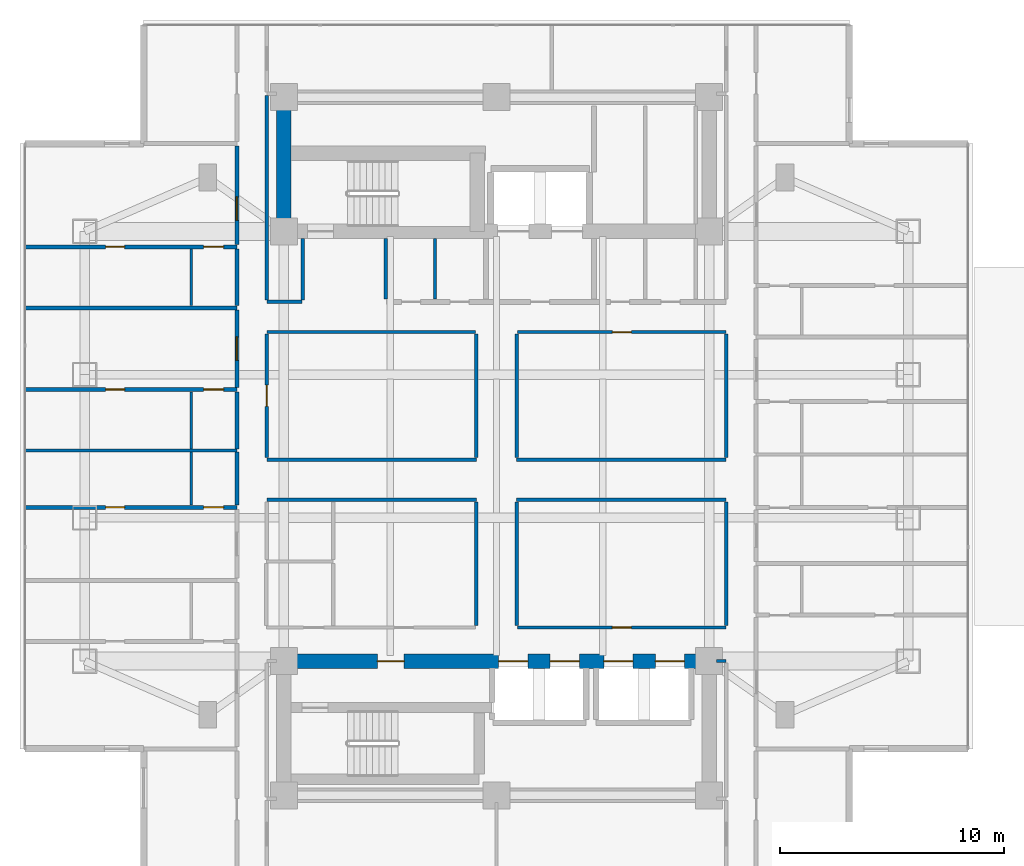
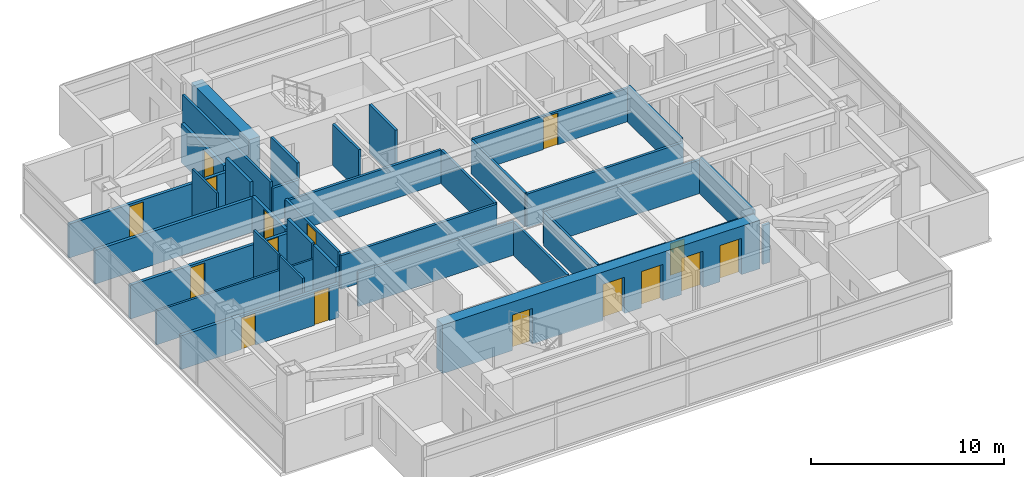
# One storey, part 14 of 26: 35 walls, 16 doors, 16 openings.
"""IFC4 building model written with IfcOpenShell, lengths in metres."""

from ifc_helpers import new_model, si_unit, direction, frame, frame_2d, origin, place, context, subcontext, project, spatial, rectangle, extrude, material, layer, layer_set, type_object, element, fill, save


model = new_model("IFC4")

# Units and contexts
model_context = context("Model", 3, precision=1e-05, world=origin(), true_north=direction((0.0, 1.0)))
body_context = subcontext(model_context, "Body", "Model", "MODEL_VIEW")
ifc_project = project(units=[si_unit("LENGTHUNIT", "METRE"), si_unit("AREAUNIT", "SQUARE_METRE"), si_unit("VOLUMEUNIT", "CUBIC_METRE"), si_unit("PLANEANGLEUNIT", "RADIAN"), si_unit("MASSUNIT", "GRAM", prefix="KILO")], contexts=[model_context])

# Site, building, storey
site_placement = place(None, origin())
site = spatial("IfcSite", under=ifc_project, at=site_placement, CompositionType="ELEMENT")
building_placement = place(site_placement, origin())
building = spatial("IfcBuilding", under=site, at=building_placement, Name="Mirazonda Arch Towers", CompositionType="ELEMENT")
storey_placement = place(building_placement, frame((0.0, 0.0, 98.300048828125)))
storey = spatial("IfcBuildingStorey", under=building, at=storey_placement, Name="L27", CompositionType="ELEMENT", Elevation=98.300048828125)

# Wall
ifc_material_1 = material(Name="Concrete C60/75", Category="concrete")
ifc_layer_1 = layer(ifc_material_1, 0.64990234375, Name="WALL-CORE-650")
ifc_layer_set_1 = layer_set([ifc_layer_1], Name="Concrete C60/75")
wall_type_1 = type_object("IfcWallType", Name="WALL-CORE-650", PredefinedType="SHEAR", material=ifc_layer_set_1)
wall_1_placement = place(storey_placement, frame((11.0, 37.60009765625, 0.0), z_axis=(0.0, 0.0, 1.0), x_axis=(0.0, 1.0, 0.0)))
element("IfcWall", 1, at=wall_1_placement, inside=storey, type_object=wall_type_1, Name="L27 T1N-W Core Shear Wall", PredefinedType="SHEAR", context=body_context, shape_type="SweptSolid", body=[
    extrude(rectangle(XDim=6.0, YDim=0.64990234375, at=frame_2d((3.0, 0.0))), origin(), (0.0, 0.0, 1.0), 3.079833984375),
])

# Wall, openings, doors
wall_2_placement = place(storey_placement, frame((11.0, 18.39990234375, 0.0), z_axis=(0.0, 0.0, 1.0), x_axis=(1.0, 0.0, 0.0)))
wall_2 = element("IfcWall", 2, at=wall_2_placement, inside=storey, type_object=wall_type_1, Name="L27 T1S-N Core Shear Wall", PredefinedType="SHEAR", context=body_context, shape_type="SweptSolid", body=[
    extrude(rectangle(XDim=19.0, YDim=0.64990234375, at=frame_2d((9.5, 0.0))), origin(), (0.0, 0.0, 1.0), 3.079833984375),
])
opening_1_placement = place(wall_2_placement, frame((4.175048828125, 0.0, 0.0)))
opening_1 = element("IfcOpeningElement", 3, at=opening_1_placement, cuts=wall_2, Name="Opening DR-117", PredefinedType="OPENING", context=body_context, shape_type="SweptSolid", body=[
    extrude(rectangle(XDim=1.199951171875, YDim=2.25, at=frame_2d((0.60009765625, 1.125))), frame((0.0, 0.3349609375, 0.0), z_axis=(0.0, -1.0, 0.0), x_axis=(1.0, 0.0, 0.0)), (0.0, 0.0, 1.0), 0.669921875),
])
opening_2_placement = place(wall_2_placement, frame((9.60009765625, 0.0, 0.0)))
opening_2 = element("IfcOpeningElement", 4, at=opening_2_placement, cuts=wall_2, Name="Opening LD-111", PredefinedType="OPENING", context=body_context, shape_type="SweptSolid", body=[
    extrude(rectangle(XDim=1.300048828125, YDim=2.300048828125, at=frame_2d((0.64990234375, 1.14990234375))), frame((0.0, 0.3349609375, 0.0), z_axis=(0.0, -1.0, 0.0), x_axis=(1.0, 0.0, 0.0)), (0.0, 0.0, 1.0), 0.669921875),
])
opening_3_placement = place(wall_2_placement, frame((11.89990234375, 0.0, 0.0)))
opening_3 = element("IfcOpeningElement", 5, at=opening_3_placement, cuts=wall_2, Name="Opening LD-111", PredefinedType="OPENING", context=body_context, shape_type="SweptSolid", body=[
    extrude(rectangle(XDim=1.300048828125, YDim=2.300048828125, at=frame_2d((0.64990234375, 1.14990234375))), frame((0.0, 0.3349609375, 0.0), z_axis=(0.0, -1.0, 0.0), x_axis=(1.0, 0.0, 0.0)), (0.0, 0.0, 1.0), 0.669921875),
])
opening_4_placement = place(wall_2_placement, frame((14.300048828125, 0.0, 0.0)))
opening_4 = element("IfcOpeningElement", 6, at=opening_4_placement, cuts=wall_2, Name="Opening LD-111", PredefinedType="OPENING", context=body_context, shape_type="SweptSolid", body=[
    extrude(rectangle(XDim=1.300048828125, YDim=2.300048828125, at=frame_2d((0.64990234375, 1.14990234375))), frame((0.0, 0.3349609375, 0.0), z_axis=(0.0, -1.0, 0.0), x_axis=(1.0, 0.0, 0.0)), (0.0, 0.0, 1.0), 0.669921875),
])
opening_5_placement = place(wall_2_placement, frame((16.60009765625, 0.0, 0.0)))
opening_5 = element("IfcOpeningElement", 7, at=opening_5_placement, cuts=wall_2, Name="Opening LD-111", PredefinedType="OPENING", context=body_context, shape_type="SweptSolid", body=[
    extrude(rectangle(XDim=1.300048828125, YDim=2.300048828125, at=frame_2d((0.64990234375, 1.14990234375))), frame((0.0, 0.3349609375, 0.0), z_axis=(0.0, -1.0, 0.0), x_axis=(1.0, 0.0, 0.0)), (0.0, 0.0, 1.0), 0.669921875),
])
ifc_material_2 = material(Name="Architectural Brushed Steel S355", Category="steel")
door_type_1 = type_object("IfcDoorType", Name="DOOR-FFL-FD90-1200", OperationType="NOTDEFINED", PredefinedType="DOOR", material=ifc_material_2)
door_1_placement = place(opening_1_placement, origin())
door_1 = element("IfcDoor", 8, at=door_1_placement, inside=storey, type_object=door_type_1, Name="L27 South Core Stair & Lift Lobby Door", OperationType="SINGLE_SWING_LEFT", OverallHeight=2.25, OverallWidth=1.199951171875, PredefinedType="DOOR", context=body_context, shape_type="SweptSolid", body=[
    extrude(rectangle(XDim=1.199951171875, YDim=2.25, at=frame_2d((0.60009765625, 1.125))), frame((0.0, 0.02490234375, 0.0), z_axis=(0.0, -1.0, 0.0), x_axis=(1.0, 0.0, 0.0)), (0.0, 0.0, 1.0), 0.050048828125),
])
fill(opening_1, door_1)
door_type_2 = type_object("IfcDoorType", Name="DOOR-LIFT-LAND-1300", OperationType="NOTDEFINED", PredefinedType="DOOR", material=ifc_material_2)
door_2_placement = place(opening_2_placement, origin())
door_2 = element("IfcDoor", 9, at=door_2_placement, inside=storey, type_object=door_type_2, Name="L27 Lift Landing Sliding Door PL-T1M1", OperationType="DOUBLE_DOOR_SLIDING", OverallHeight=2.300048828125, OverallWidth=1.300048828125, PredefinedType="DOOR", context=body_context, shape_type="SweptSolid", body=[
    extrude(rectangle(XDim=1.300048828125, YDim=2.300048828125, at=frame_2d((0.64990234375, 1.14990234375))), frame((0.0, 0.02490234375, 0.0), z_axis=(0.0, -1.0, 0.0), x_axis=(1.0, 0.0, 0.0)), (0.0, 0.0, 1.0), 0.050048828125),
])
fill(opening_2, door_2)
door_3_placement = place(opening_3_placement, origin())
door_3 = element("IfcDoor", 10, at=door_3_placement, inside=storey, type_object=door_type_2, Name="L27 Lift Landing Sliding Door PL-T1M2", OperationType="DOUBLE_DOOR_SLIDING", OverallHeight=2.300048828125, OverallWidth=1.300048828125, PredefinedType="DOOR", context=body_context, shape_type="SweptSolid", body=[
    extrude(rectangle(XDim=1.300048828125, YDim=2.300048828125, at=frame_2d((0.64990234375, 1.14990234375))), frame((0.0, 0.02490234375, 0.0), z_axis=(0.0, -1.0, 0.0), x_axis=(1.0, 0.0, 0.0)), (0.0, 0.0, 1.0), 0.050048828125),
])
fill(opening_3, door_3)
door_4_placement = place(opening_4_placement, origin())
door_4 = element("IfcDoor", 11, at=door_4_placement, inside=storey, type_object=door_type_2, Name="L27 Lift Landing Sliding Door PL-T1H1", OperationType="DOUBLE_DOOR_SLIDING", OverallHeight=2.300048828125, OverallWidth=1.300048828125, PredefinedType="DOOR", context=body_context, shape_type="SweptSolid", body=[
    extrude(rectangle(XDim=1.300048828125, YDim=2.300048828125, at=frame_2d((0.64990234375, 1.14990234375))), frame((0.0, 0.02490234375, 0.0), z_axis=(0.0, -1.0, 0.0), x_axis=(1.0, 0.0, 0.0)), (0.0, 0.0, 1.0), 0.050048828125),
])
fill(opening_4, door_4)
door_5_placement = place(opening_5_placement, origin())
door_5 = element("IfcDoor", 12, at=door_5_placement, inside=storey, type_object=door_type_2, Name="L27 Lift Landing Sliding Door PL-T1H2", OperationType="DOUBLE_DOOR_SLIDING", OverallHeight=2.300048828125, OverallWidth=1.300048828125, PredefinedType="DOOR", context=body_context, shape_type="SweptSolid", body=[
    extrude(rectangle(XDim=1.300048828125, YDim=2.300048828125, at=frame_2d((0.64990234375, 1.14990234375))), frame((0.0, 0.02490234375, 0.0), z_axis=(0.0, -1.0, 0.0), x_axis=(1.0, 0.0, 0.0)), (0.0, 0.0, 1.0), 0.050048828125),
])
fill(opening_5, door_5)

# Wall
ifc_material_3 = material(Name="Fire-Rated Gypsum Stud Partition")
ifc_layer_2 = layer(ifc_material_3, 0.14990234375, Name="WALL-PART-CORR-150")
ifc_layer_set_2 = layer_set([ifc_layer_2], Name="Fire-Rated Gypsum Stud Partition")
wall_type_2 = type_object("IfcWallType", Name="WALL-PART-CORR-150", PredefinedType="PARTITIONING", material=ifc_layer_set_2)
wall_3_placement = place(storey_placement, frame((30.320068359375, 18.39990234375, 0.0), z_axis=(0.0, 0.0, 1.0), x_axis=(1.0, 0.0, 0.0)))
element("IfcWall", 13, at=wall_3_placement, inside=storey, type_object=wall_type_2, Name="L27 Interior Partition 013", PredefinedType="PARTITIONING", context=body_context, shape_type="SweptSolid", body=[
    extrude(rectangle(XDim=0.43994140625, YDim=0.14990234375, at=frame_2d((0.219970703125, 0.0))), origin(), (0.0, 0.0, 1.0), 2.4560546875),
])

# Wall, opening, door
wall_4_placement = place(storey_placement, frame((21.43994140625, 19.89990234375, 0.0), z_axis=(0.0, 0.0, 1.0), x_axis=(1.0, 0.0, 0.0)))
wall_4 = element("IfcWall", 14, at=wall_4_placement, inside=storey, type_object=wall_type_2, Name="L27 Interior Partition 017", PredefinedType="PARTITIONING", context=body_context, shape_type="SweptSolid", body=[
    extrude(rectangle(XDim=9.320068359375, YDim=0.14990234375, at=frame_2d((4.66015625, 0.0))), origin(), (0.0, 0.0, 1.0), 2.1240234375),
])
opening_6_placement = place(wall_4_placement, frame((4.235107421875, 0.0, 0.0)))
opening_6 = element("IfcOpeningElement", 15, at=opening_6_placement, cuts=wall_4, Name="Opening DR-128", PredefinedType="OPENING", context=body_context, shape_type="SweptSolid", body=[
    extrude(rectangle(XDim=0.85009765625, YDim=2.010009765625, at=frame_2d((0.425048828125, 1.0048828125))), frame((0.0, 0.0849609375, 0.0), z_axis=(0.0, -1.0, 0.0), x_axis=(1.0, 0.0, 0.0)), (0.0, 0.0, 1.0), 0.169921875),
])
door_type_3 = type_object("IfcDoorType", Name="DOOR-RISER-FD60-850", OperationType="NOTDEFINED", PredefinedType="DOOR", material=ifc_material_2)
door_6_placement = place(opening_6_placement, origin())
door_6 = element("IfcDoor", 16, at=door_6_placement, inside=storey, type_object=door_type_3, Name="L27 L27 South-East Cruciform Lounge Door", OperationType="SINGLE_SWING_RIGHT", OverallHeight=2.010009765625, OverallWidth=0.85009765625, PredefinedType="DOOR", context=body_context, shape_type="SweptSolid", body=[
    extrude(rectangle(XDim=0.85009765625, YDim=2.010009765625, at=frame_2d((0.425048828125, 1.0048828125))), frame((0.0, 0.02490234375, 0.0), z_axis=(0.0, -1.0, 0.0), x_axis=(1.0, 0.0, 0.0)), (0.0, 0.0, 1.0), 0.050048828125),
])
fill(opening_6, door_6)

# Walls
for number, where, z_axis, x_axis, name in (
    (17, (10.239990234375, 25.60009765625, 0.0), (0.0, 0.0, 1.0), (1.0, 0.0, 0.0), "L27 Interior Partition 031"),
    (18, (21.39990234375, 25.60009765625, 0.0), (0.0, 0.0, 1.0), (1.0, 0.0, 0.0), "L27 Interior Partition 032"),
    (19, (10.239990234375, 27.39990234375, 0.0), (0.0, 0.0, 1.0), (1.0, 0.0, 0.0), "L27 Interior Partition 036"),
    (20, (21.39990234375, 27.39990234375, 0.0), (0.0, 0.0, 1.0), (1.0, 0.0, 0.0), "L27 Interior Partition 037"),
):
    element("IfcWall", number, at=place(storey_placement, frame(where, z_axis=z_axis, x_axis=x_axis)), inside=storey, type_object=wall_type_2, Name=name, PredefinedType="PARTITIONING", context=body_context, shape_type="SweptSolid", body=[
        extrude(rectangle(XDim=9.360107421875, YDim=0.14990234375, at=frame_2d((4.68017578125, 0.0))), origin(), (0.0, 0.0, 1.0), 2.1240234375),
    ])
wall_5_placement = place(storey_placement, frame((10.239990234375, 33.10009765625, 0.0), z_axis=(0.0, 0.0, 1.0), x_axis=(1.0, 0.0, 0.0)))
element("IfcWall", 21, at=wall_5_placement, inside=storey, type_object=wall_type_2, Name="L27 Interior Partition 049", PredefinedType="PARTITIONING", context=body_context, shape_type="SweptSolid", body=[
    extrude(rectangle(XDim=9.320068359375, YDim=0.14990234375, at=frame_2d((4.66015625, 0.0))), origin(), (0.0, 0.0, 1.0), 2.1240234375),
])

# Wall, opening, door
wall_6_placement = place(storey_placement, frame((21.43994140625, 33.10009765625, 0.0), z_axis=(0.0, 0.0, 1.0), x_axis=(1.0, 0.0, 0.0)))
wall_6 = element("IfcWall", 22, at=wall_6_placement, inside=storey, type_object=wall_type_2, Name="L27 Interior Partition 050", PredefinedType="PARTITIONING", context=body_context, shape_type="SweptSolid", body=[
    extrude(rectangle(XDim=9.320068359375, YDim=0.14990234375, at=frame_2d((4.66015625, 0.0))), origin(), (0.0, 0.0, 1.0), 2.1240234375),
])
opening_7_placement = place(wall_6_placement, frame((4.235107421875, 0.0, 0.0)))
opening_7 = element("IfcOpeningElement", 23, at=opening_7_placement, cuts=wall_6, Name="Opening DR-128", PredefinedType="OPENING", context=body_context, shape_type="SweptSolid", body=[
    extrude(rectangle(XDim=0.85009765625, YDim=2.010009765625, at=frame_2d((0.425048828125, 1.0048828125))), frame((0.0, 0.0849609375, 0.0), z_axis=(0.0, -1.0, 0.0), x_axis=(1.0, 0.0, 0.0)), (0.0, 0.0, 1.0), 0.169921875),
])
door_7_placement = place(opening_7_placement, origin())
door_7 = element("IfcDoor", 24, at=door_7_placement, inside=storey, type_object=door_type_3, Name="L27 L27 North-East Cruciform Study Door", OperationType="SINGLE_SWING_LEFT", OverallHeight=2.010009765625, OverallWidth=0.85009765625, PredefinedType="DOOR", context=body_context, shape_type="SweptSolid", body=[
    extrude(rectangle(XDim=0.85009765625, YDim=2.010009765625, at=frame_2d((0.425048828125, 1.0048828125))), frame((0.0, 0.02490234375, 0.0), z_axis=(0.0, -1.0, 0.0), x_axis=(1.0, 0.0, 0.0)), (0.0, 0.0, 1.0), 0.050048828125),
])
fill(opening_7, door_7)

# Wall
wall_7_placement = place(storey_placement, frame((10.239990234375, 34.449951171875, 0.0), z_axis=(0.0, 0.0, 1.0), x_axis=(1.0, 0.0, 0.0)))
element("IfcWall", 25, at=wall_7_placement, inside=storey, type_object=wall_type_2, Name="L27 Interior Partition 052", PredefinedType="PARTITIONING", context=body_context, shape_type="SweptSolid", body=[
    extrude(rectangle(XDim=1.56005859375, YDim=0.14990234375, at=frame_2d((0.780029296875, 0.0))), origin(), (0.0, 0.0, 1.0), 2.1240234375),
])

# Wall, opening, door
wall_8_placement = place(storey_placement, frame((10.239990234375, 27.485107421875, 0.0), z_axis=(0.0, 0.0, 1.0), x_axis=(0.0, 1.0, 0.0)))
wall_8 = element("IfcWall", 26, at=wall_8_placement, inside=storey, type_object=wall_type_2, Name="L27 Interior Partition 085", PredefinedType="PARTITIONING", context=body_context, shape_type="SweptSolid", body=[
    extrude(rectangle(XDim=5.52978515625, YDim=0.14990234375, at=frame_2d((2.764892578125, 0.0))), origin(), (0.0, 0.0, 1.0), 2.299072265625),
])
opening_8_placement = place(wall_8_placement, frame((2.2900390625, 0.0, 0.0)))
opening_8 = element("IfcOpeningElement", 27, at=opening_8_placement, cuts=wall_8, Name="Opening DR-104", PredefinedType="OPENING", context=body_context, shape_type="SweptSolid", body=[
    extrude(rectangle(XDim=0.949951171875, YDim=2.14990234375, at=frame_2d((0.47509765625, 1.074951171875))), frame((0.0, 0.0849609375, 0.0), z_axis=(0.0, -1.0, 0.0), x_axis=(1.0, 0.0, 0.0)), (0.0, 0.0, 1.0), 0.169921875),
])
door_type_4 = type_object("IfcDoorType", Name="DOOR-ROOM-950", OperationType="NOTDEFINED", PredefinedType="DOOR", material=ifc_material_2)
door_8_placement = place(opening_8_placement, origin())
door_8 = element("IfcDoor", 28, at=door_8_placement, inside=storey, type_object=door_type_4, Name="L27 L27 West Courtyard Reading Salon Door", OperationType="SINGLE_SWING_LEFT", OverallHeight=2.14990234375, OverallWidth=0.949951171875, PredefinedType="DOOR", context=body_context, shape_type="SweptSolid", body=[
    extrude(rectangle(XDim=0.949951171875, YDim=2.14990234375, at=frame_2d((0.47509765625, 1.074951171875))), frame((0.0, 0.02490234375, 0.0), z_axis=(0.0, -1.0, 0.0), x_axis=(1.0, 0.0, 0.0)), (0.0, 0.0, 1.0), 0.050048828125),
])
fill(opening_8, door_8)

# Walls
wall_9_placement = place(storey_placement, frame((10.239990234375, 34.534912109375, 0.0), z_axis=(0.0, 0.0, 1.0), x_axis=(0.0, 1.0, 0.0)))
element("IfcWall", 29, at=wall_9_placement, inside=storey, type_object=wall_type_2, Name="L27 Interior Partition 086", PredefinedType="PARTITIONING", context=body_context, shape_type="SweptSolid", body=[
    extrude(rectangle(XDim=9.130126953125, YDim=0.14990234375, at=frame_2d((4.56494140625, 0.0))), origin(), (0.0, 0.0, 1.0), 2.4560546875),
])
wall_10_placement = place(storey_placement, frame((11.85009765625, 34.534912109375, 0.0), z_axis=(0.0, 0.0, 1.0), x_axis=(0.0, 1.0, 0.0)))
element("IfcWall", 30, at=wall_10_placement, inside=storey, type_object=wall_type_2, Name="L27 Interior Partition 088", PredefinedType="PARTITIONING", context=body_context, shape_type="SweptSolid", body=[
    extrude(rectangle(XDim=2.7451171875, YDim=0.14990234375, at=frame_2d((1.37255859375, 0.0))), origin(), (0.0, 0.0, 1.0), 3.079833984375),
])
wall_11_placement = place(storey_placement, frame((15.550048828125, 34.570068359375, 0.0), z_axis=(0.0, 0.0, 1.0), x_axis=(0.0, 1.0, 0.0)))
element("IfcWall", 31, at=wall_11_placement, inside=storey, type_object=wall_type_2, Name="L27 Interior Partition 091", PredefinedType="PARTITIONING", context=body_context, shape_type="SweptSolid", body=[
    extrude(rectangle(XDim=2.7099609375, YDim=0.14990234375, at=frame_2d((1.35498046875, 0.0))), origin(), (0.0, 0.0, 1.0), 2.60888671875),
])
wall_12_placement = place(storey_placement, frame((17.75, 34.570068359375, 0.0), z_axis=(0.0, 0.0, 1.0), x_axis=(0.0, 1.0, 0.0)))
element("IfcWall", 32, at=wall_12_placement, inside=storey, type_object=wall_type_2, Name="L27 Interior Partition 092", PredefinedType="PARTITIONING", context=body_context, shape_type="SweptSolid", body=[
    extrude(rectangle(XDim=2.7099609375, YDim=0.14990234375, at=frame_2d((1.35498046875, 0.0))), origin(), (0.0, 0.0, 1.0), 3.079833984375),
])
for number, where, z_axis, x_axis, name in (
    (33, (19.60009765625, 19.985107421875, 0.0), (0.0, 0.0, 1.0), (0.0, 1.0, 0.0), "L27 Interior Partition 093"),
    (34, (19.60009765625, 27.485107421875, 0.0), (0.0, 0.0, 1.0), (0.0, 1.0, 0.0), "L27 Interior Partition 094"),
    (35, (21.39990234375, 19.985107421875, 0.0), (0.0, 0.0, 1.0), (0.0, 1.0, 0.0), "L27 Interior Partition 101"),
    (36, (21.39990234375, 27.485107421875, 0.0), (0.0, 0.0, 1.0), (0.0, 1.0, 0.0), "L27 Interior Partition 102"),
):
    element("IfcWall", number, at=place(storey_placement, frame(where, z_axis=z_axis, x_axis=x_axis)), inside=storey, type_object=wall_type_2, Name=name, PredefinedType="PARTITIONING", context=body_context, shape_type="SweptSolid", body=[
        extrude(rectangle(XDim=5.52978515625, YDim=0.14990234375, at=frame_2d((2.764892578125, 0.0))), origin(), (0.0, 0.0, 1.0), 2.1240234375),
    ])
for number, where, z_axis, x_axis, name in (
    (37, (30.760009765625, 19.985107421875, 0.0), (0.0, 0.0, 1.0), (0.0, 1.0, 0.0), "L27 Interior Partition 116"),
    (38, (30.760009765625, 27.485107421875, 0.0), (0.0, 0.0, 1.0), (0.0, 1.0, 0.0), "L27 Interior Partition 117"),
):
    element("IfcWall", number, at=place(storey_placement, frame(where, z_axis=z_axis, x_axis=x_axis)), inside=storey, type_object=wall_type_2, Name=name, PredefinedType="PARTITIONING", context=body_context, shape_type="SweptSolid", body=[
        extrude(rectangle(XDim=5.52978515625, YDim=0.14990234375, at=frame_2d((2.764892578125, 0.0))), origin(), (0.0, 0.0, 1.0), 2.299072265625),
    ])

# Wall, openings, doors
ifc_material_4 = material(Name="Fire-Rated Gypsum Twin-Stud Assembly")
ifc_layer_3 = layer(ifc_material_4, 0.179931640625, Name="WALL-PART-DEMISE-180")
ifc_layer_set_3 = layer_set([ifc_layer_3], Name="Fire-Rated Gypsum Twin-Stud Assembly")
wall_type_3 = type_object("IfcWallType", Name="WALL-PART-DEMISE-180", PredefinedType="PARTITIONING", material=ifc_layer_set_3)
wall_13_placement = place(storey_placement, frame((-0.570068359375, 25.27197265625, 0.0), z_axis=(0.0, 0.0, 1.0), x_axis=(1.0, 0.0, 0.0)))
wall_13 = element("IfcWall", 39, at=wall_13_placement, inside=storey, type_object=wall_type_3, Name="L27 Interior Partition 029", PredefinedType="PARTITIONING", context=body_context, shape_type="SweptSolid", body=[
    extrude(rectangle(XDim=9.469970703125, YDim=0.179931640625, at=frame_2d((4.73486328125, 0.0))), origin(), (0.0, 0.0, 1.0), 2.14501953125),
])
opening_9_placement = place(wall_13_placement, frame((3.610107421875, 0.0, 0.0)))
opening_9 = element("IfcOpeningElement", 40, at=opening_9_placement, cuts=wall_13, Name="Opening DR-128", PredefinedType="OPENING", context=body_context, shape_type="SweptSolid", body=[
    extrude(rectangle(XDim=0.85009765625, YDim=2.010009765625, at=frame_2d((0.425048828125, 1.0048828125))), frame((0.0, 0.099853515625, 0.0), z_axis=(0.0, -1.0, 0.0), x_axis=(1.0, 0.0, 0.0)), (0.0, 0.0, 1.0), 0.199951171875),
])
opening_10_placement = place(wall_13_placement, frame((7.97998046875, 0.0, 0.0)))
opening_10 = element("IfcOpeningElement", 41, at=opening_10_placement, cuts=wall_13, Name="Opening DR-120", PredefinedType="OPENING", context=body_context, shape_type="SweptSolid", body=[
    extrude(rectangle(XDim=0.89990234375, YDim=2.10009765625, at=frame_2d((0.449951171875, 1.050048828125))), frame((0.0, 0.099853515625, 0.0), z_axis=(0.0, -1.0, 0.0), x_axis=(1.0, 0.0, 0.0)), (0.0, 0.0, 1.0), 0.199951171875),
])
door_9_placement = place(opening_9_placement, origin())
door_9 = element("IfcDoor", 42, at=door_9_placement, inside=storey, type_object=door_type_3, Name="L27 Suite Bedroom 2 Door", OperationType="SINGLE_SWING_RIGHT", OverallHeight=2.010009765625, OverallWidth=0.85009765625, PredefinedType="DOOR", context=body_context, shape_type="SweptSolid", body=[
    extrude(rectangle(XDim=0.85009765625, YDim=2.010009765625, at=frame_2d((0.425048828125, 1.0048828125))), frame((0.0, 0.02490234375, 0.0), z_axis=(0.0, -1.0, 0.0), x_axis=(1.0, 0.0, 0.0)), (0.0, 0.0, 1.0), 0.050048828125),
])
fill(opening_9, door_9)
door_type_5 = type_object("IfcDoorType", Name="DOOR-WC-900", OperationType="NOTDEFINED", PredefinedType="DOOR", material=ifc_material_2)
door_10_placement = place(opening_10_placement, origin())
door_10 = element("IfcDoor", 43, at=door_10_placement, inside=storey, type_object=door_type_5, Name="L27 Suite En-Suite Bathroom 2 Door", OperationType="SINGLE_SWING_LEFT", OverallHeight=2.10009765625, OverallWidth=0.89990234375, PredefinedType="DOOR", context=body_context, shape_type="SweptSolid", body=[
    extrude(rectangle(XDim=0.89990234375, YDim=2.10009765625, at=frame_2d((0.449951171875, 1.050048828125))), frame((0.0, 0.02490234375, 0.0), z_axis=(0.0, -1.0, 0.0), x_axis=(1.0, 0.0, 0.0)), (0.0, 0.0, 1.0), 0.050048828125),
])
fill(opening_10, door_10)

wall_14_placement = place(storey_placement, frame((-0.570068359375, 30.532958984375, 0.0), z_axis=(0.0, 0.0, 1.0), x_axis=(1.0, 0.0, 0.0)))
wall_14 = element("IfcWall", 44, at=wall_14_placement, inside=storey, type_object=wall_type_3, Name="L27 Interior Partition 044", PredefinedType="PARTITIONING", context=body_context, shape_type="SweptSolid", body=[
    extrude(rectangle(XDim=9.469970703125, YDim=0.179931640625, at=frame_2d((4.73486328125, 0.0))), origin(), (0.0, 0.0, 1.0), 2.14501953125),
])
opening_11_placement = place(wall_14_placement, frame((3.610107421875, 0.0, 0.0)))
opening_11 = element("IfcOpeningElement", 45, at=opening_11_placement, cuts=wall_14, Name="Opening DR-128", PredefinedType="OPENING", context=body_context, shape_type="SweptSolid", body=[
    extrude(rectangle(XDim=0.85009765625, YDim=2.010009765625, at=frame_2d((0.425048828125, 1.0048828125))), frame((0.0, 0.099853515625, 0.0), z_axis=(0.0, -1.0, 0.0), x_axis=(1.0, 0.0, 0.0)), (0.0, 0.0, 1.0), 0.199951171875),
])
opening_12_placement = place(wall_14_placement, frame((7.97998046875, 0.0, 0.0)))
opening_12 = element("IfcOpeningElement", 46, at=opening_12_placement, cuts=wall_14, Name="Opening DR-120", PredefinedType="OPENING", context=body_context, shape_type="SweptSolid", body=[
    extrude(rectangle(XDim=0.89990234375, YDim=2.10009765625, at=frame_2d((0.449951171875, 1.050048828125))), frame((0.0, 0.099853515625, 0.0), z_axis=(0.0, -1.0, 0.0), x_axis=(1.0, 0.0, 0.0)), (0.0, 0.0, 1.0), 0.199951171875),
])
door_11_placement = place(opening_11_placement, origin())
door_11 = element("IfcDoor", 47, at=door_11_placement, inside=storey, type_object=door_type_3, Name="L27 Suite Bedroom 3 Door", OperationType="SINGLE_SWING_LEFT", OverallHeight=2.010009765625, OverallWidth=0.85009765625, PredefinedType="DOOR", context=body_context, shape_type="SweptSolid", body=[
    extrude(rectangle(XDim=0.85009765625, YDim=2.010009765625, at=frame_2d((0.425048828125, 1.0048828125))), frame((0.0, 0.02490234375, 0.0), z_axis=(0.0, -1.0, 0.0), x_axis=(1.0, 0.0, 0.0)), (0.0, 0.0, 1.0), 0.050048828125),
])
fill(opening_11, door_11)
door_12_placement = place(opening_12_placement, origin())
door_12 = element("IfcDoor", 48, at=door_12_placement, inside=storey, type_object=door_type_5, Name="L27 Suite En-Suite Bathroom 3 Door", OperationType="SINGLE_SWING_RIGHT", OverallHeight=2.10009765625, OverallWidth=0.89990234375, PredefinedType="DOOR", context=body_context, shape_type="SweptSolid", body=[
    extrude(rectangle(XDim=0.89990234375, YDim=2.10009765625, at=frame_2d((0.449951171875, 1.050048828125))), frame((0.0, 0.02490234375, 0.0), z_axis=(0.0, -1.0, 0.0), x_axis=(1.0, 0.0, 0.0)), (0.0, 0.0, 1.0), 0.050048828125),
])
fill(opening_12, door_12)

# Wall
wall_15_placement = place(storey_placement, frame((-0.570068359375, 34.18408203125, 0.0), z_axis=(0.0, 0.0, 1.0), x_axis=(1.0, 0.0, 0.0)))
element("IfcWall", 49, at=wall_15_placement, inside=storey, type_object=wall_type_3, Name="L27 Interior Partition 051", PredefinedType="PARTITIONING", context=body_context, shape_type="SweptSolid", body=[
    extrude(rectangle(XDim=9.469970703125, YDim=0.179931640625, at=frame_2d((4.73486328125, 0.0))), origin(), (0.0, 0.0, 1.0), 2.14501953125),
])

# Wall, openings, doors
wall_16_placement = place(storey_placement, frame((-0.570068359375, 36.904052734375, 0.0), z_axis=(0.0, 0.0, 1.0), x_axis=(1.0, 0.0, 0.0)))
wall_16 = element("IfcWall", 50, at=wall_16_placement, inside=storey, type_object=wall_type_3, Name="L27 Interior Partition 057", PredefinedType="PARTITIONING", context=body_context, shape_type="SweptSolid", body=[
    extrude(rectangle(XDim=9.469970703125, YDim=0.179931640625, at=frame_2d((4.73486328125, 0.0))), origin(), (0.0, 0.0, 1.0), 2.14501953125),
])
opening_13_placement = place(wall_16_placement, frame((3.610107421875, 0.0, 0.0)))
opening_13 = element("IfcOpeningElement", 51, at=opening_13_placement, cuts=wall_16, Name="Opening DR-128", PredefinedType="OPENING", context=body_context, shape_type="SweptSolid", body=[
    extrude(rectangle(XDim=0.85009765625, YDim=2.010009765625, at=frame_2d((0.425048828125, 1.0048828125))), frame((0.0, 0.099853515625, 0.0), z_axis=(0.0, -1.0, 0.0), x_axis=(1.0, 0.0, 0.0)), (0.0, 0.0, 1.0), 0.199951171875),
])
opening_14_placement = place(wall_16_placement, frame((7.97998046875, 0.0, 0.0)))
opening_14 = element("IfcOpeningElement", 52, at=opening_14_placement, cuts=wall_16, Name="Opening DR-120", PredefinedType="OPENING", context=body_context, shape_type="SweptSolid", body=[
    extrude(rectangle(XDim=0.89990234375, YDim=2.10009765625, at=frame_2d((0.449951171875, 1.050048828125))), frame((0.0, 0.099853515625, 0.0), z_axis=(0.0, -1.0, 0.0), x_axis=(1.0, 0.0, 0.0)), (0.0, 0.0, 1.0), 0.199951171875),
])
door_13_placement = place(opening_13_placement, origin())
door_13 = element("IfcDoor", 53, at=door_13_placement, inside=storey, type_object=door_type_3, Name="L27 Suite Bedroom 4 Door", OperationType="SINGLE_SWING_RIGHT", OverallHeight=2.010009765625, OverallWidth=0.85009765625, PredefinedType="DOOR", context=body_context, shape_type="SweptSolid", body=[
    extrude(rectangle(XDim=0.85009765625, YDim=2.010009765625, at=frame_2d((0.425048828125, 1.0048828125))), frame((0.0, 0.02490234375, 0.0), z_axis=(0.0, -1.0, 0.0), x_axis=(1.0, 0.0, 0.0)), (0.0, 0.0, 1.0), 0.050048828125),
])
fill(opening_13, door_13)
door_14_placement = place(opening_14_placement, origin())
door_14 = element("IfcDoor", 54, at=door_14_placement, inside=storey, type_object=door_type_5, Name="L27 Suite En-Suite Bathroom 4 Door", OperationType="SINGLE_SWING_LEFT", OverallHeight=2.10009765625, OverallWidth=0.89990234375, PredefinedType="DOOR", context=body_context, shape_type="SweptSolid", body=[
    extrude(rectangle(XDim=0.89990234375, YDim=2.10009765625, at=frame_2d((0.449951171875, 1.050048828125))), frame((0.0, 0.02490234375, 0.0), z_axis=(0.0, -1.0, 0.0), x_axis=(1.0, 0.0, 0.0)), (0.0, 0.0, 1.0), 0.050048828125),
])
fill(opening_14, door_14)

# Walls
wall_17_placement = place(storey_placement, frame((8.89990234375, 25.3720703125, 0.0), z_axis=(0.0, 0.0, 1.0), x_axis=(0.0, 1.0, 0.0)))
element("IfcWall", 55, at=wall_17_placement, inside=storey, type_object=wall_type_3, Name="L27 Interior Partition 075", PredefinedType="PARTITIONING", context=body_context, shape_type="SweptSolid", body=[
    extrude(rectangle(XDim=2.368408203125, YDim=0.179931640625, at=frame_2d((1.18408203125, 0.0))), origin(), (0.0, 0.0, 1.0), 3.079833984375),
])
wall_18_placement = place(storey_placement, frame((8.89990234375, 27.885498046875, 0.0), z_axis=(0.0, 0.0, 1.0), x_axis=(0.0, 1.0, 0.0)))
element("IfcWall", 56, at=wall_18_placement, inside=storey, type_object=wall_type_3, Name="L27 Interior Partition 076", PredefinedType="PARTITIONING", context=body_context, shape_type="SweptSolid", body=[
    extrude(rectangle(XDim=2.547607421875, YDim=0.179931640625, at=frame_2d((1.27392578125, 0.0))), origin(), (0.0, 0.0, 1.0), 3.079833984375),
])

# Wall, opening, door
wall_19_placement = place(storey_placement, frame((8.89990234375, 30.633056640625, 0.0), z_axis=(0.0, 0.0, 1.0), x_axis=(0.0, 1.0, 0.0)))
wall_19 = element("IfcWall", 57, at=wall_19_placement, inside=storey, type_object=wall_type_3, Name="L27 Interior Partition 077", PredefinedType="PARTITIONING", context=body_context, shape_type="SweptSolid", body=[
    extrude(rectangle(XDim=3.450927734375, YDim=0.179931640625, at=frame_2d((1.7255859375, 0.0))), origin(), (0.0, 0.0, 1.0), 2.299072265625),
])
opening_15_placement = place(wall_19_placement, frame((1.200439453125, 0.0, 0.0)))
opening_15 = element("IfcOpeningElement", 58, at=opening_15_placement, cuts=wall_19, Name="Opening DR-121", PredefinedType="OPENING", context=body_context, shape_type="SweptSolid", body=[
    extrude(rectangle(XDim=1.050048828125, YDim=2.199951171875, at=frame_2d((0.52490234375, 1.10009765625))), frame((0.0, 0.099853515625, 0.0), z_axis=(0.0, -1.0, 0.0), x_axis=(1.0, 0.0, 0.0)), (0.0, 0.0, 1.0), 0.199951171875),
])
door_type_6 = type_object("IfcDoorType", Name="DOOR-SUITE-FD60-1050", OperationType="NOTDEFINED", PredefinedType="DOOR", material=ifc_material_2)
door_15_placement = place(opening_15_placement, origin())
door_15 = element("IfcDoor", 59, at=door_15_placement, inside=storey, type_object=door_type_6, Name="L27 Deluxe Suite Living Room 3 Door", OperationType="SINGLE_SWING_RIGHT", OverallHeight=2.199951171875, OverallWidth=1.050048828125, PredefinedType="DOOR", context=body_context, shape_type="SweptSolid", body=[
    extrude(rectangle(XDim=1.050048828125, YDim=2.199951171875, at=frame_2d((0.52490234375, 1.10009765625))), frame((0.0, 0.02490234375, 0.0), z_axis=(0.0, -1.0, 0.0), x_axis=(1.0, 0.0, 0.0)), (0.0, 0.0, 1.0), 0.050048828125),
])
fill(opening_15, door_15)

# Wall
wall_20_placement = place(storey_placement, frame((8.89990234375, 34.283935546875, 0.0), z_axis=(0.0, 0.0, 1.0), x_axis=(0.0, 1.0, 0.0)))
element("IfcWall", 60, at=wall_20_placement, inside=storey, type_object=wall_type_3, Name="L27 Interior Partition 078", PredefinedType="PARTITIONING", context=body_context, shape_type="SweptSolid", body=[
    extrude(rectangle(XDim=2.52001953125, YDim=0.179931640625, at=frame_2d((1.260009765625, 0.0))), origin(), (0.0, 0.0, 1.0), 3.079833984375),
])

# Wall, opening, door
wall_21_placement = place(storey_placement, frame((8.89990234375, 37.00390625, 0.0), z_axis=(0.0, 0.0, 1.0), x_axis=(0.0, 1.0, 0.0)))
wall_21 = element("IfcWall", 61, at=wall_21_placement, inside=storey, type_object=wall_type_3, Name="L27 Interior Partition 079", PredefinedType="PARTITIONING", context=body_context, shape_type="SweptSolid", body=[
    extrude(rectangle(XDim=4.4150390625, YDim=0.179931640625, at=frame_2d((2.20751953125, 0.0))), origin(), (0.0, 0.0, 1.0), 2.4560546875),
])
opening_16_placement = place(wall_21_placement, frame((1.08251953125, 0.0, 0.0)))
opening_16 = element("IfcOpeningElement", 62, at=opening_16_placement, cuts=wall_21, Name="Opening DR-121", PredefinedType="OPENING", context=body_context, shape_type="SweptSolid", body=[
    extrude(rectangle(XDim=1.050048828125, YDim=2.199951171875, at=frame_2d((0.52490234375, 1.10009765625))), frame((0.0, 0.099853515625, 0.0), z_axis=(0.0, -1.0, 0.0), x_axis=(1.0, 0.0, 0.0)), (0.0, 0.0, 1.0), 0.199951171875),
])
door_16_placement = place(opening_16_placement, origin())
door_16 = element("IfcDoor", 63, at=door_16_placement, inside=storey, type_object=door_type_6, Name="L27 Deluxe Suite Living Room 4 Door", OperationType="SINGLE_SWING_LEFT", OverallHeight=2.199951171875, OverallWidth=1.050048828125, PredefinedType="DOOR", context=body_context, shape_type="SweptSolid", body=[
    extrude(rectangle(XDim=1.050048828125, YDim=2.199951171875, at=frame_2d((0.52490234375, 1.10009765625))), frame((0.0, 0.02490234375, 0.0), z_axis=(0.0, -1.0, 0.0), x_axis=(1.0, 0.0, 0.0)), (0.0, 0.0, 1.0), 0.050048828125),
])
fill(opening_16, door_16)

# Walls
ifc_material_5 = material(Name="Acoustic Fire-Rated Gypsum Partition")
ifc_layer_4 = layer(ifc_material_5, 0.125, Name="WALL-PART-UNIT-125")
ifc_layer_set_4 = layer_set([ifc_layer_4], Name="Acoustic Fire-Rated Gypsum Partition")
wall_type_4 = type_object("IfcWallType", Name="WALL-PART-UNIT-125", PredefinedType="PARTITIONING", material=ifc_layer_set_4)
wall_22_placement = place(storey_placement, frame((-0.570068359375, 27.81298828125, 0.0), z_axis=(0.0, 0.0, 1.0), x_axis=(1.0, 0.0, 0.0)))
element("IfcWall", 64, at=wall_22_placement, inside=storey, type_object=wall_type_4, Name="L27 Interior Partition 038", PredefinedType="PARTITIONING", context=body_context, shape_type="SweptSolid", body=[
    extrude(rectangle(XDim=9.469970703125, YDim=0.125, at=frame_2d((4.73486328125, 0.0))), origin(), (0.0, 0.0, 1.0), 2.14501953125),
])
wall_23_placement = place(storey_placement, frame((6.860107421875, 25.3720703125, 0.0), z_axis=(0.0, 0.0, 1.0), x_axis=(0.0, 1.0, 0.0)))
element("IfcWall", 65, at=wall_23_placement, inside=storey, type_object=wall_type_4, Name="L27 Interior Partition 068", PredefinedType="PARTITIONING", context=body_context, shape_type="SweptSolid", body=[
    extrude(rectangle(XDim=2.368408203125, YDim=0.125, at=frame_2d((1.18408203125, 0.0))), origin(), (0.0, 0.0, 1.0), 3.079833984375),
])
wall_24_placement = place(storey_placement, frame((6.860107421875, 27.885498046875, 0.0), z_axis=(0.0, 0.0, 1.0), x_axis=(0.0, 1.0, 0.0)))
element("IfcWall", 66, at=wall_24_placement, inside=storey, type_object=wall_type_4, Name="L27 Interior Partition 069", PredefinedType="PARTITIONING", context=body_context, shape_type="SweptSolid", body=[
    extrude(rectangle(XDim=2.547607421875, YDim=0.125, at=frame_2d((1.27392578125, 0.0))), origin(), (0.0, 0.0, 1.0), 3.079833984375),
])
wall_25_placement = place(storey_placement, frame((6.860107421875, 34.283935546875, 0.0), z_axis=(0.0, 0.0, 1.0), x_axis=(0.0, 1.0, 0.0)))
element("IfcWall", 67, at=wall_25_placement, inside=storey, type_object=wall_type_4, Name="L27 Interior Partition 070", PredefinedType="PARTITIONING", context=body_context, shape_type="SweptSolid", body=[
    extrude(rectangle(XDim=2.52001953125, YDim=0.125, at=frame_2d((1.260009765625, 0.0))), origin(), (0.0, 0.0, 1.0), 3.079833984375),
])

save(model, "model.ifc")
